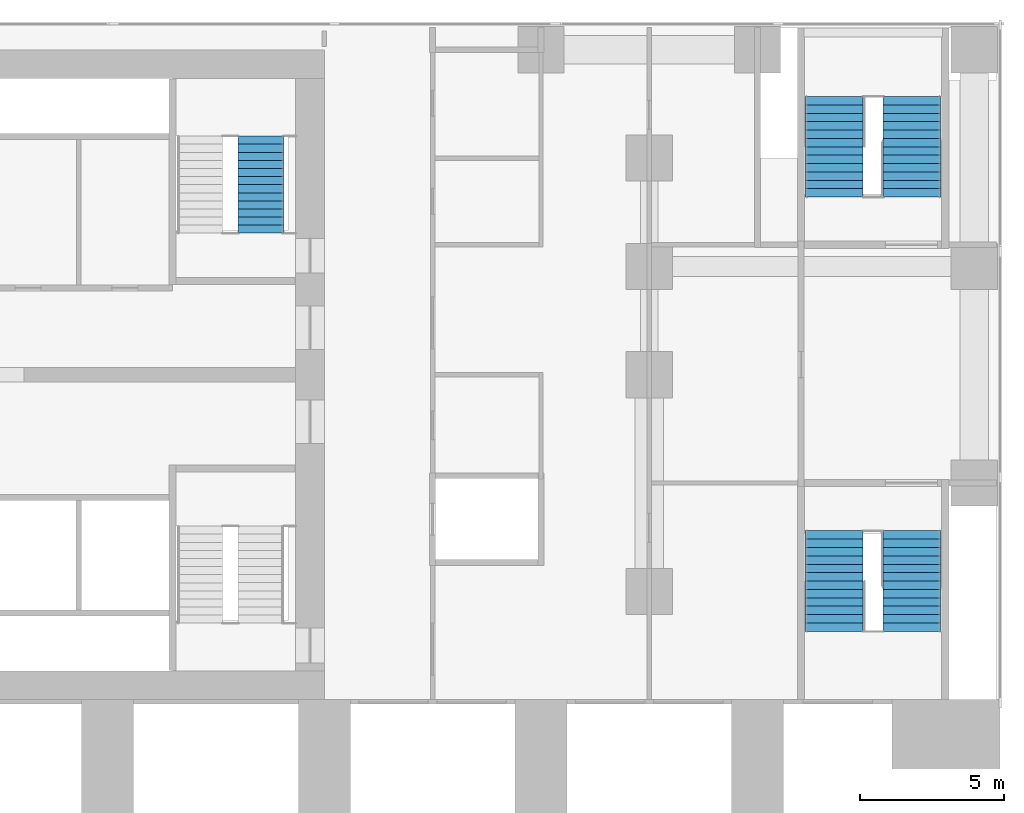
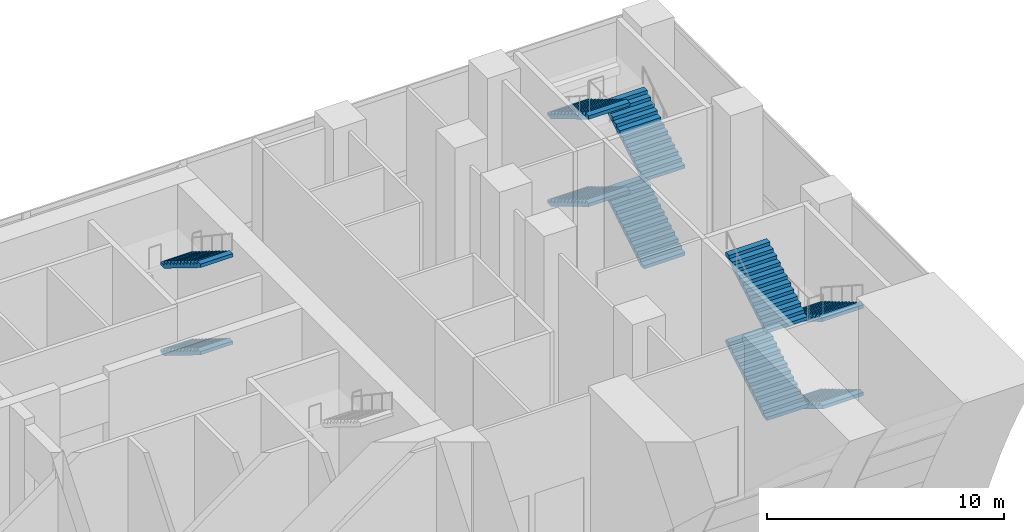
# One storey, part 10 of 14: 10 stair flights, 3 elements without a shape of their own.
"""IFC4 building model written with IfcOpenShell, lengths in metres."""

from ifc_helpers import new_model, si_unit, direction, frame, origin, place, context, subcontext, project, spatial, polyline, outline, extrude, material, type_object, element, aggregate, save


model = new_model("IFC4")

# Units and contexts
model_context = context("Model", 3, precision=1e-05, world=origin(), true_north=direction((0.0, 1.0)))
body_context = subcontext(model_context, "Body", "Model", "MODEL_VIEW")
ifc_project = project(units=[si_unit("LENGTHUNIT", "METRE"), si_unit("AREAUNIT", "SQUARE_METRE"), si_unit("VOLUMEUNIT", "CUBIC_METRE"), si_unit("PLANEANGLEUNIT", "RADIAN"), si_unit("MASSUNIT", "GRAM", prefix="KILO")], contexts=[model_context])

# Site, building, storey
site_placement = place(None, origin())
site = spatial("IfcSite", under=ifc_project, at=site_placement, CompositionType="ELEMENT")
building_placement = place(site_placement, origin())
building = spatial("IfcBuilding", under=site, at=building_placement, Name="Pilkhan Gate Tower", CompositionType="ELEMENT")
storey_placement = place(building_placement, frame((0.0, 0.0, 7.5)))
storey = spatial("IfcBuildingStorey", under=building, at=storey_placement, Name="L01", CompositionType="ELEMENT", Elevation=7.5)

# Stair, stair flights
ifc_material = material(Name="Concrete C40/50 precast", Category="concrete")
stair_type_1 = type_object("IfcStairType", Name="Stair PS2 173x290", PredefinedType="HALF_TURN_STAIR", material=ifc_material)
stair_1_placement = place(storey_placement, origin())
stair_1 = element("IfcStair", 1, at=stair_1_placement, inside=storey, type_object=stair_type_1, Name="Stair PS2 L01", PredefinedType="HALF_TURN_STAIR")
stair_flight_type_1 = type_object("IfcStairFlightType", Name="Stair flight PS2 173x290x13", PredefinedType="STRAIGHT", material=ifc_material)
stair_flight_1_placement = place(storey_placement, frame((110.35009765625, 88.64990234375, 0.0), z_axis=(0.0, 0.0, 1.0), x_axis=(0.0, 1.0, 0.0)))
stair_flight_1 = element("IfcStairFlight", 2, at=stair_flight_1_placement, type_object=stair_flight_type_1, Name="PS2 flight 1", NumberOfRisers=13, NumberOfTreads=12, PredefinedType="STRAIGHT", RiserHeight=0.173076923, TreadLength=0.29, context=body_context, shape_type="SweptSolid", body=[
    extrude(outline(polyline([(0.0, 0.0), (0.0, 0.173095703125), (0.2900390625, 0.173095703125), (0.2900390625, 0.34619140625), (0.580078125, 0.34619140625), (0.580078125, 0.519287109375), (0.8701171875, 0.519287109375), (0.8701171875, 0.6923828125), (1.159912109375, 0.6923828125), (1.159912109375, 0.865478515625), (1.449951171875, 0.865478515625), (1.449951171875, 1.03857421875), (1.739990234375, 1.03857421875), (1.739990234375, 1.21142578125), (2.030029296875, 1.21142578125), (2.030029296875, 1.384521484375), (2.320068359375, 1.384521484375), (2.320068359375, 1.5576171875), (2.610107421875, 1.5576171875), (2.610107421875, 1.730712890625), (2.89990234375, 1.730712890625), (2.89990234375, 1.90380859375), (3.18994140625, 1.90380859375), (3.18994140625, 2.076904296875), (3.47998046875, 2.076904296875), (3.47998046875, 2.25), (3.47998046875, 1.90234375), (0.29248046875, 0.0), (0.0, 0.0)])), frame((0.0, 1.0, 0.0), z_axis=(0.0, -1.0, 0.0), x_axis=(1.0, 0.0, 0.0)), (0.0, 0.0, 1.0), 2.0),
])
stair_flight_2_placement = place(storey_placement, frame((107.64990234375, 92.1298828125, 2.25), z_axis=(0.0, 0.0, 1.0), x_axis=(0.0, -1.0, 0.0)))
stair_flight_2 = element("IfcStairFlight", 3, at=stair_flight_2_placement, type_object=stair_flight_type_1, Name="PS2 flight 2", NumberOfRisers=13, NumberOfTreads=12, PredefinedType="STRAIGHT", RiserHeight=0.173076923, TreadLength=0.29, context=body_context, shape_type="SweptSolid", body=[
    extrude(outline(polyline([(0.0, 0.0), (0.0, 0.173095703125), (0.2900390625, 0.173095703125), (0.2900390625, 0.34619140625), (0.580078125, 0.34619140625), (0.580078125, 0.519287109375), (0.8701171875, 0.519287109375), (0.8701171875, 0.6923828125), (1.159912109375, 0.6923828125), (1.159912109375, 0.865478515625), (1.449951171875, 0.865478515625), (1.449951171875, 1.03857421875), (1.739990234375, 1.03857421875), (1.739990234375, 1.21142578125), (2.030029296875, 1.21142578125), (2.030029296875, 1.384521484375), (2.320068359375, 1.384521484375), (2.320068359375, 1.5576171875), (2.610107421875, 1.5576171875), (2.610107421875, 1.730712890625), (2.89990234375, 1.730712890625), (2.89990234375, 1.90380859375), (3.18994140625, 1.90380859375), (3.18994140625, 2.076904296875), (3.47998046875, 2.076904296875), (3.47998046875, 2.25), (3.47998046875, 1.90234375), (0.29248046875, 0.0), (0.0, 0.0)])), frame((0.0, 1.0, 0.0), z_axis=(0.0, -1.0, 0.0), x_axis=(1.0, 0.0, 0.0)), (0.0, 0.0, 1.0), 2.0),
])
stair_flight_3_placement = place(storey_placement, frame((110.35009765625, 88.64990234375, 4.5), z_axis=(0.0, 0.0, 1.0), x_axis=(0.0, 1.0, 0.0)))
stair_flight_3 = element("IfcStairFlight", 4, at=stair_flight_3_placement, type_object=stair_flight_type_1, Name="PS2 flight 3", NumberOfRisers=13, NumberOfTreads=12, PredefinedType="STRAIGHT", RiserHeight=0.173076923, TreadLength=0.29, context=body_context, shape_type="SweptSolid", body=[
    extrude(outline(polyline([(0.0, 0.0), (0.0, 0.173095703125), (0.2900390625, 0.173095703125), (0.2900390625, 0.34619140625), (0.580078125, 0.34619140625), (0.580078125, 0.519287109375), (0.8701171875, 0.519287109375), (0.8701171875, 0.6923828125), (1.159912109375, 0.6923828125), (1.159912109375, 0.865478515625), (1.449951171875, 0.865478515625), (1.449951171875, 1.03857421875), (1.739990234375, 1.03857421875), (1.739990234375, 1.21142578125), (2.030029296875, 1.21142578125), (2.030029296875, 1.384521484375), (2.320068359375, 1.384521484375), (2.320068359375, 1.5576171875), (2.610107421875, 1.5576171875), (2.610107421875, 1.730712890625), (2.89990234375, 1.730712890625), (2.89990234375, 1.90380859375), (3.18994140625, 1.90380859375), (3.18994140625, 2.076904296875), (3.47998046875, 2.076904296875), (3.47998046875, 2.25), (3.47998046875, 1.90234375), (0.29248046875, 0.0), (0.0, 0.0)])), frame((0.0, 1.0, 0.0), z_axis=(0.0, -1.0, 0.0), x_axis=(1.0, 0.0, 0.0)), (0.0, 0.0, 1.0), 2.0),
])
stair_flight_4_placement = place(storey_placement, frame((107.64990234375, 92.1298828125, 6.75), z_axis=(0.0, 0.0, 1.0), x_axis=(0.0, -1.0, 0.0)))
stair_flight_4 = element("IfcStairFlight", 5, at=stair_flight_4_placement, type_object=stair_flight_type_1, Name="PS2 flight 4", NumberOfRisers=13, NumberOfTreads=12, PredefinedType="STRAIGHT", RiserHeight=0.173076923, TreadLength=0.29, context=body_context, shape_type="SweptSolid", body=[
    extrude(outline(polyline([(0.0, 0.0), (0.0, 0.173095703125), (0.2900390625, 0.173095703125), (0.2900390625, 0.34619140625), (0.580078125, 0.34619140625), (0.580078125, 0.519287109375), (0.8701171875, 0.519287109375), (0.8701171875, 0.6923828125), (1.159912109375, 0.6923828125), (1.159912109375, 0.865478515625), (1.449951171875, 0.865478515625), (1.449951171875, 1.03857421875), (1.739990234375, 1.03857421875), (1.739990234375, 1.21142578125), (2.030029296875, 1.21142578125), (2.030029296875, 1.384521484375), (2.320068359375, 1.384521484375), (2.320068359375, 1.5576171875), (2.610107421875, 1.5576171875), (2.610107421875, 1.730712890625), (2.89990234375, 1.730712890625), (2.89990234375, 1.90380859375), (3.18994140625, 1.90380859375), (3.18994140625, 2.076904296875), (3.47998046875, 2.076904296875), (3.47998046875, 2.25), (3.47998046875, 1.90234375), (0.29248046875, 0.0), (0.0, 0.0)])), frame((0.0, 1.0, 0.0), z_axis=(0.0, -1.0, 0.0), x_axis=(1.0, 0.0, 0.0)), (0.0, 0.0, 1.0), 2.0),
])
aggregate(stair_1, [stair_flight_1, stair_flight_2, stair_flight_3, stair_flight_4])

stair_type_2 = type_object("IfcStairType", Name="Stair PS4 173x290", PredefinedType="HALF_TURN_STAIR", material=ifc_material)
stair_2_placement = place(storey_placement, origin())
stair_2 = element("IfcStair", 6, at=stair_2_placement, inside=storey, type_object=stair_type_2, Name="Stair PS4 L01", PredefinedType="HALF_TURN_STAIR")
stair_flight_type_2 = type_object("IfcStairFlightType", Name="Stair flight PS4 173x290x13", PredefinedType="STRAIGHT", material=ifc_material)
stair_flight_5_placement = place(storey_placement, frame((110.35009765625, 77.10009765625, 0.0), z_axis=(0.0, 0.0, 1.0), x_axis=(0.0, -1.0, 0.0)))
stair_flight_5 = element("IfcStairFlight", 7, at=stair_flight_5_placement, type_object=stair_flight_type_2, Name="PS4 flight 1", NumberOfRisers=13, NumberOfTreads=12, PredefinedType="STRAIGHT", RiserHeight=0.173076923, TreadLength=0.29, context=body_context, shape_type="SweptSolid", body=[
    extrude(outline(polyline([(0.0, 0.0), (0.0, 0.173095703125), (0.2900390625, 0.173095703125), (0.2900390625, 0.34619140625), (0.580078125, 0.34619140625), (0.580078125, 0.519287109375), (0.8701171875, 0.519287109375), (0.8701171875, 0.6923828125), (1.159912109375, 0.6923828125), (1.159912109375, 0.865478515625), (1.449951171875, 0.865478515625), (1.449951171875, 1.03857421875), (1.739990234375, 1.03857421875), (1.739990234375, 1.21142578125), (2.030029296875, 1.21142578125), (2.030029296875, 1.384521484375), (2.320068359375, 1.384521484375), (2.320068359375, 1.5576171875), (2.610107421875, 1.5576171875), (2.610107421875, 1.730712890625), (2.89990234375, 1.730712890625), (2.89990234375, 1.90380859375), (3.18994140625, 1.90380859375), (3.18994140625, 2.076904296875), (3.47998046875, 2.076904296875), (3.47998046875, 2.25), (3.47998046875, 1.90234375), (0.29248046875, 0.0), (0.0, 0.0)])), frame((0.0, 1.0, 0.0), z_axis=(0.0, -1.0, 0.0), x_axis=(1.0, 0.0, 0.0)), (0.0, 0.0, 1.0), 2.0),
])
stair_flight_6_placement = place(storey_placement, frame((107.64990234375, 73.6201171875, 2.25), z_axis=(0.0, 0.0, 1.0), x_axis=(0.0, 1.0, 0.0)))
stair_flight_6 = element("IfcStairFlight", 8, at=stair_flight_6_placement, type_object=stair_flight_type_2, Name="PS4 flight 2", NumberOfRisers=13, NumberOfTreads=12, PredefinedType="STRAIGHT", RiserHeight=0.173076923, TreadLength=0.29, context=body_context, shape_type="SweptSolid", body=[
    extrude(outline(polyline([(0.0, 0.0), (0.0, 0.173095703125), (0.2900390625, 0.173095703125), (0.2900390625, 0.34619140625), (0.580078125, 0.34619140625), (0.580078125, 0.519287109375), (0.8701171875, 0.519287109375), (0.8701171875, 0.6923828125), (1.159912109375, 0.6923828125), (1.159912109375, 0.865478515625), (1.449951171875, 0.865478515625), (1.449951171875, 1.03857421875), (1.739990234375, 1.03857421875), (1.739990234375, 1.21142578125), (2.030029296875, 1.21142578125), (2.030029296875, 1.384521484375), (2.320068359375, 1.384521484375), (2.320068359375, 1.5576171875), (2.610107421875, 1.5576171875), (2.610107421875, 1.730712890625), (2.89990234375, 1.730712890625), (2.89990234375, 1.90380859375), (3.18994140625, 1.90380859375), (3.18994140625, 2.076904296875), (3.47998046875, 2.076904296875), (3.47998046875, 2.25), (3.47998046875, 1.90234375), (0.29248046875, 0.0), (0.0, 0.0)])), frame((0.0, 1.0, 0.0), z_axis=(0.0, -1.0, 0.0), x_axis=(1.0, 0.0, 0.0)), (0.0, 0.0, 1.0), 2.0),
])
stair_flight_7_placement = place(storey_placement, frame((110.35009765625, 77.10009765625, 4.5), z_axis=(0.0, 0.0, 1.0), x_axis=(0.0, -1.0, 0.0)))
stair_flight_7 = element("IfcStairFlight", 9, at=stair_flight_7_placement, type_object=stair_flight_type_2, Name="PS4 flight 3", NumberOfRisers=13, NumberOfTreads=12, PredefinedType="STRAIGHT", RiserHeight=0.173076923, TreadLength=0.29, context=body_context, shape_type="SweptSolid", body=[
    extrude(outline(polyline([(0.0, 0.0), (0.0, 0.173095703125), (0.2900390625, 0.173095703125), (0.2900390625, 0.34619140625), (0.580078125, 0.34619140625), (0.580078125, 0.519287109375), (0.8701171875, 0.519287109375), (0.8701171875, 0.6923828125), (1.159912109375, 0.6923828125), (1.159912109375, 0.865478515625), (1.449951171875, 0.865478515625), (1.449951171875, 1.03857421875), (1.739990234375, 1.03857421875), (1.739990234375, 1.21142578125), (2.030029296875, 1.21142578125), (2.030029296875, 1.384521484375), (2.320068359375, 1.384521484375), (2.320068359375, 1.5576171875), (2.610107421875, 1.5576171875), (2.610107421875, 1.730712890625), (2.89990234375, 1.730712890625), (2.89990234375, 1.90380859375), (3.18994140625, 1.90380859375), (3.18994140625, 2.076904296875), (3.47998046875, 2.076904296875), (3.47998046875, 2.25), (3.47998046875, 1.90234375), (0.29248046875, 0.0), (0.0, 0.0)])), frame((0.0, 1.0, 0.0), z_axis=(0.0, -1.0, 0.0), x_axis=(1.0, 0.0, 0.0)), (0.0, 0.0, 1.0), 2.0),
])
stair_flight_8_placement = place(storey_placement, frame((107.64990234375, 73.6201171875, 6.75), z_axis=(0.0, 0.0, 1.0), x_axis=(0.0, 1.0, 0.0)))
stair_flight_8 = element("IfcStairFlight", 10, at=stair_flight_8_placement, type_object=stair_flight_type_2, Name="PS4 flight 4", NumberOfRisers=13, NumberOfTreads=12, PredefinedType="STRAIGHT", RiserHeight=0.173076923, TreadLength=0.29, context=body_context, shape_type="SweptSolid", body=[
    extrude(outline(polyline([(0.0, 0.0), (0.0, 0.173095703125), (0.2900390625, 0.173095703125), (0.2900390625, 0.34619140625), (0.580078125, 0.34619140625), (0.580078125, 0.519287109375), (0.8701171875, 0.519287109375), (0.8701171875, 0.6923828125), (1.159912109375, 0.6923828125), (1.159912109375, 0.865478515625), (1.449951171875, 0.865478515625), (1.449951171875, 1.03857421875), (1.739990234375, 1.03857421875), (1.739990234375, 1.21142578125), (2.030029296875, 1.21142578125), (2.030029296875, 1.384521484375), (2.320068359375, 1.384521484375), (2.320068359375, 1.5576171875), (2.610107421875, 1.5576171875), (2.610107421875, 1.730712890625), (2.89990234375, 1.730712890625), (2.89990234375, 1.90380859375), (3.18994140625, 1.90380859375), (3.18994140625, 2.076904296875), (3.47998046875, 2.076904296875), (3.47998046875, 2.25), (3.47998046875, 1.90234375), (0.29248046875, 0.0), (0.0, 0.0)])), frame((0.0, 1.0, 0.0), z_axis=(0.0, -1.0, 0.0), x_axis=(1.0, 0.0, 0.0)), (0.0, 0.0, 1.0), 2.0),
])
aggregate(stair_2, [stair_flight_5, stair_flight_6, stair_flight_7, stair_flight_8])

stair_type_3 = type_object("IfcStairType", Name="Stair ST4 173x280", PredefinedType="HALF_TURN_STAIR", material=ifc_material)
stair_3_placement = place(storey_placement, origin())
stair_3 = element("IfcStair", 11, at=stair_3_placement, inside=storey, type_object=stair_type_3, Name="Stair ST4 L01", PredefinedType="HALF_TURN_STAIR")
stair_flight_type_3 = type_object("IfcStairFlightType", Name="Stair flight ST4 173x280x13", PredefinedType="STRAIGHT", material=ifc_material)
stair_flight_9_placement = place(storey_placement, frame((87.81005859375, 90.760009765625, 2.25), z_axis=(0.0, 0.0, 1.0), x_axis=(0.0, -1.0, 0.0)))
stair_flight_9 = element("IfcStairFlight", 12, at=stair_flight_9_placement, type_object=stair_flight_type_3, Name="ST4 flight 2", NumberOfRisers=13, NumberOfTreads=12, PredefinedType="STRAIGHT", RiserHeight=0.173076923, TreadLength=0.28, context=body_context, shape_type="SweptSolid", body=[
    extrude(outline(polyline([(0.0, 0.0), (0.0, 0.173095703125), (0.280029296875, 0.173095703125), (0.280029296875, 0.34619140625), (0.56005859375, 0.34619140625), (0.56005859375, 0.519287109375), (0.840087890625, 0.519287109375), (0.840087890625, 0.6923828125), (1.1201171875, 0.6923828125), (1.1201171875, 0.865478515625), (1.39990234375, 0.865478515625), (1.39990234375, 1.03857421875), (1.679931640625, 1.03857421875), (1.679931640625, 1.21142578125), (1.9599609375, 1.21142578125), (1.9599609375, 1.384521484375), (2.239990234375, 1.384521484375), (2.239990234375, 1.5576171875), (2.52001953125, 1.5576171875), (2.52001953125, 1.730712890625), (2.800048828125, 1.730712890625), (2.800048828125, 1.90380859375), (3.080078125, 1.90380859375), (3.080078125, 2.076904296875), (3.360107421875, 2.076904296875), (3.360107421875, 2.25), (3.360107421875, 1.900634765625), (0.28515625, 0.0), (0.0, 0.0)])), frame((0.0, 0.7900390625, 0.0), z_axis=(0.0, -1.0, 0.0), x_axis=(1.0, 0.0, 0.0)), (0.0, 0.0, 1.0), 1.580078125),
])
stair_flight_10_placement = place(storey_placement, frame((87.81005859375, 90.760009765625, 6.75), z_axis=(0.0, 0.0, 1.0), x_axis=(0.0, -1.0, 0.0)))
stair_flight_10 = element("IfcStairFlight", 13, at=stair_flight_10_placement, type_object=stair_flight_type_3, Name="ST4 flight 4", NumberOfRisers=13, NumberOfTreads=12, PredefinedType="STRAIGHT", RiserHeight=0.173076923, TreadLength=0.28, context=body_context, shape_type="SweptSolid", body=[
    extrude(outline(polyline([(0.0, 0.0), (0.0, 0.173095703125), (0.280029296875, 0.173095703125), (0.280029296875, 0.34619140625), (0.56005859375, 0.34619140625), (0.56005859375, 0.519287109375), (0.840087890625, 0.519287109375), (0.840087890625, 0.6923828125), (1.1201171875, 0.6923828125), (1.1201171875, 0.865478515625), (1.39990234375, 0.865478515625), (1.39990234375, 1.03857421875), (1.679931640625, 1.03857421875), (1.679931640625, 1.21142578125), (1.9599609375, 1.21142578125), (1.9599609375, 1.384521484375), (2.239990234375, 1.384521484375), (2.239990234375, 1.5576171875), (2.52001953125, 1.5576171875), (2.52001953125, 1.730712890625), (2.800048828125, 1.730712890625), (2.800048828125, 1.90380859375), (3.080078125, 1.90380859375), (3.080078125, 2.076904296875), (3.360107421875, 2.076904296875), (3.360107421875, 2.25), (3.360107421875, 1.900634765625), (0.28515625, 0.0), (0.0, 0.0)])), frame((0.0, 0.7900390625, 0.0), z_axis=(0.0, -1.0, 0.0), x_axis=(1.0, 0.0, 0.0)), (0.0, 0.0, 1.0), 1.580078125),
])
aggregate(stair_3, [stair_flight_9, stair_flight_10])

save(model, "model.ifc")
